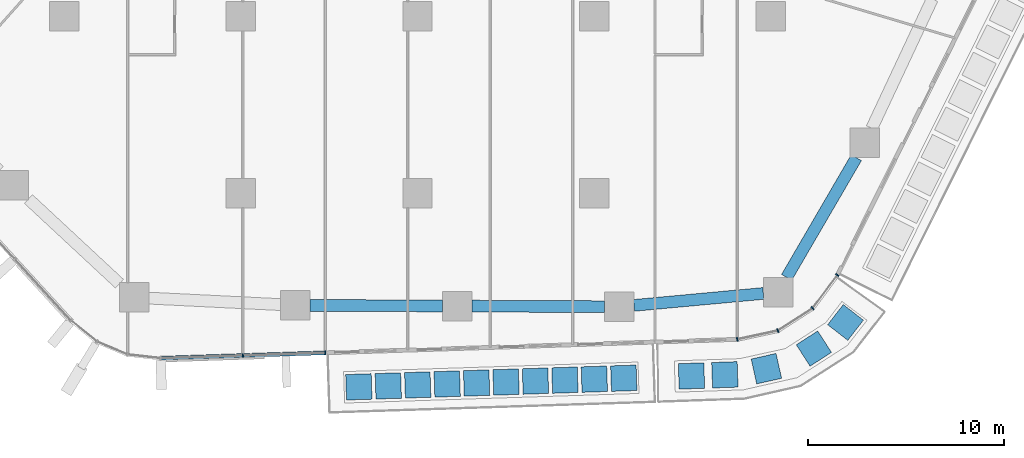
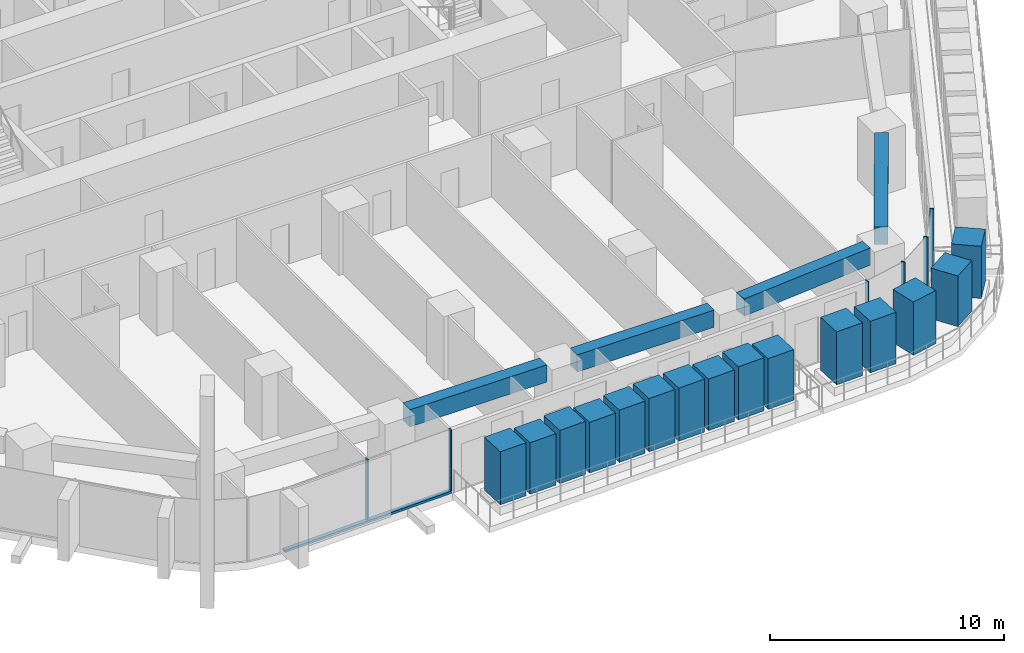
# One storey, part 5 of 27: 22 members, 4 beams, 2 elements without a shape of their own.
"""IFC4 building model written with IfcOpenShell, lengths in metres."""

from ifc_helpers import new_model, si_unit, direction, frame, origin, origin_2d, place, context, subcontext, project, spatial, rectangle, extrude, material, layer, layer_set, material_profile, profile_set, type_object, element, aggregate, save


model = new_model("IFC4")

# Units and contexts
model_context = context("Model", 3, precision=1e-05, world=origin(), true_north=direction((0.0, 1.0)))
body_context = subcontext(model_context, "Body", "Model", "MODEL_VIEW")
ifc_project = project(units=[si_unit("LENGTHUNIT", "METRE"), si_unit("AREAUNIT", "SQUARE_METRE"), si_unit("VOLUMEUNIT", "CUBIC_METRE"), si_unit("PLANEANGLEUNIT", "RADIAN"), si_unit("MASSUNIT", "GRAM", prefix="KILO")], contexts=[model_context])

# Site, building, storey
site_placement = place(None, origin())
site = spatial("IfcSite", under=ifc_project, at=site_placement, CompositionType="ELEMENT")
building_placement = place(site_placement, origin())
building = spatial("IfcBuilding", under=site, at=building_placement, Name="Dongbaek Canopy Tower", CompositionType="ELEMENT")
storey_placement = place(building_placement, frame((0.0, 0.0, 55.10009765625)))
storey = spatial("IfcBuildingStorey", under=building, at=storey_placement, Name="L09", CompositionType="ELEMENT", Elevation=55.10009765625)

# Curtain wall, members
ifc_material_1 = material(Name="Aluminium 6063-T6 pale anodised", Category="aluminium")
ifc_layer = layer(ifc_material_1, 0.199951171875)
ifc_layer_set = layer_set([ifc_layer], Name="CW-1 unitised tower curtain wall")
curtain_wall_type = type_object("IfcCurtainWallType", Name="CW-1 unitised tower curtain wall", PredefinedType="NOTDEFINED", material=ifc_layer_set)
curtain_wall_1_placement = place(storey_placement, origin())
curtain_wall_1 = element("IfcCurtainWall", 1, at=curtain_wall_1_placement, inside=storey, type_object=curtain_wall_type, Name="CW-1 curtain wall F4.1", PredefinedType="NOTDEFINED")
ifc_material_2 = material(Name="Aluminium 6063-T6 pale anodised", Category="aluminium")
ifc_material_profile_1 = material_profile(ifc_material_2, rectangle(XDim=0.199951171875, YDim=0.06005859375, at=origin_2d()), Name="CW-1 mullion 60 x 200")
ifc_profile_set_1 = profile_set([ifc_material_profile_1], Name="Aluminium 6063-T6 pale anodised")
member_type_1 = type_object("IfcMemberType", Name="CW-1 mullion 60 x 200", PredefinedType="MULLION", material=ifc_profile_set_1)
member_1_placement = place(storey_placement, frame((-8.895263671875, -35.27294921875, 0.119873046875), z_axis=(0.0, 0.0, 1.0), x_axis=(0.032645591573, -0.999466990626, 0.0)))
member_1 = element("IfcMember", 2, at=member_1_placement, type_object=member_type_1, Name="CW-1 mullion F4.1.2", PredefinedType="MULLION", context=body_context, shape_type="SweptSolid", body=[
    extrude(rectangle(XDim=0.199951171875, YDim=0.06005859375, at=origin_2d()), origin(), (0.0, 0.0, 1.0), 3.179931640625),
])
member_2_placement = place(storey_placement, frame((-4.696533203125, -35.1357421875, 0.119873046875), z_axis=(0.0, 0.0, 1.0), x_axis=(0.032645591573, -0.999466990626, 0.0)))
member_2 = element("IfcMember", 3, at=member_2_placement, type_object=member_type_1, Name="CW-1 mullion F4.1.3", PredefinedType="MULLION", context=body_context, shape_type="SweptSolid", body=[
    extrude(rectangle(XDim=0.199951171875, YDim=0.06005859375, at=origin_2d()), origin(), (0.0, 0.0, 1.0), 3.179931640625),
])

curtain_wall_2_placement = place(storey_placement, origin())
curtain_wall_2 = element("IfcCurtainWall", 4, at=curtain_wall_2_placement, inside=storey, type_object=curtain_wall_type, Name="CW-1 curtain wall K5.1", PredefinedType="NOTDEFINED")
member_3_placement = place(storey_placement, frame((16.28857421875, -34.450439453125, 0.0), z_axis=(0.0, 0.0, 1.0), x_axis=(0.210435377636, -0.977607769936, 0.0)))
member_3 = element("IfcMember", 5, at=member_3_placement, type_object=member_type_1, Name="CW-1 mullion K5.1.1", PredefinedType="MULLION", context=body_context, shape_type="SweptSolid", body=[
    extrude(rectangle(XDim=0.199951171875, YDim=0.06005859375, at=origin_2d()), origin(), (0.0, 0.0, 1.0), 3.2998046875),
])
member_4_placement = place(storey_placement, frame((18.35498046875, -34.005615234375, 0.0), z_axis=(0.0, 0.0, 1.0), x_axis=(0.381472916659, -0.924380015933, 0.0)))
member_4 = element("IfcMember", 6, at=member_4_placement, type_object=member_type_1, Name="CW-1 mullion K5.1.2", PredefinedType="MULLION", context=body_context, shape_type="SweptSolid", body=[
    extrude(rectangle(XDim=0.199951171875, YDim=0.06005859375, at=origin_2d()), origin(), (0.0, 0.0, 1.0), 3.2998046875),
])
member_5_placement = place(storey_placement, frame((20.1259765625, -32.86865234375, 0.0), z_axis=(0.0, 0.0, 1.0), x_axis=(0.681731660666, -0.731602311947, 0.0)))
member_5 = element("IfcMember", 7, at=member_5_placement, type_object=member_type_1, Name="CW-1 mullion K5.1.3", PredefinedType="MULLION", context=body_context, shape_type="SweptSolid", body=[
    extrude(rectangle(XDim=0.199951171875, YDim=0.06005859375, at=origin_2d()), origin(), (0.0, 0.0, 1.0), 3.2998046875),
])
member_6_placement = place(storey_placement, frame((21.390625, -31.1748046875, 0.0), z_axis=(0.0, 0.0, 1.0), x_axis=(0.801318453228, -0.598238026638, 0.0)))
member_6 = element("IfcMember", 8, at=member_6_placement, type_object=member_type_1, Name="CW-1 mullion K5.1.4", PredefinedType="MULLION", context=body_context, shape_type="SweptSolid", body=[
    extrude(rectangle(XDim=0.199951171875, YDim=0.06005859375, at=origin_2d()), origin(), (0.0, 0.0, 1.0), 3.2998046875),
])
aggregate(curtain_wall_2, [member_3, member_4, member_5, member_6])

# Member
ifc_material_3 = material(Name="Aluminium 6063-T6 pale anodised", Category="aluminium")
ifc_material_profile_2 = material_profile(ifc_material_3, rectangle(XDim=0.199951171875, YDim=0.1201171875, at=origin_2d()), Name="CW-1 transom 120 x 200")
ifc_profile_set_2 = profile_set([ifc_material_profile_2], Name="Aluminium 6063-T6 pale anodised")
member_type_2 = type_object("IfcMemberType", Name="CW-1 transom 120 x 200", PredefinedType="USERDEFINED", material=ifc_profile_set_2)
member_7_placement = place(storey_placement, frame((-13.0869140625, -35.409912109375, 0.059814453125), z_axis=(0.999466543947, 0.032659264086, 0.0), x_axis=(-0.032659264086, 0.999466543947, 0.0)))
member_7 = element("IfcMember", 9, at=member_7_placement, type_object=member_type_2, Name="CW-1 transom F4.1.1", ObjectType="TRANSOM", PredefinedType="USERDEFINED", context=body_context, shape_type="SweptSolid", body=[
    extrude(rectangle(XDim=0.199951171875, YDim=0.1201171875, at=origin_2d()), origin(), (0.0, 0.0, 1.0), 8.394775390625),
])

aggregate(curtain_wall_1, [member_1, member_2, member_7])

# Beams
ifc_material_4 = material(Name="Concrete C80", Category="concrete")
ifc_material_profile_3 = material_profile(ifc_material_4, rectangle(XDim=0.60009765625, YDim=0.89990234375, at=origin_2d()), Name="RC EDGE BEAM 600x900 C80")
ifc_profile_set_3 = profile_set([ifc_material_profile_3], Name="Concrete C80")
beam_type = type_object("IfcBeamType", Name="RC EDGE BEAM 600x900 C80", PredefinedType="BEAM", material=ifc_profile_set_3)
beam_1_placement = place(storey_placement, frame((17.617919921875, -32.1123046875, 2.849853515625), z_axis=(-0.995766471257, -0.091919174929, 0.0), x_axis=(0.091919174929, -0.995766471257, 0.0)))
element("IfcBeam", 10, at=beam_1_placement, inside=storey, type_object=beam_type, Name="EDGEBEAM:L09:00", PredefinedType="BEAM", context=body_context, shape_type="SweptSolid", body=[
    extrude(rectangle(XDim=0.60009765625, YDim=0.89990234375, at=origin_2d()), origin(), (0.0, 0.0, 1.0), 6.618896484375),
])
beam_2_placement = place(storey_placement, frame((9.527099609375, -32.78662109375, 2.849853515625), z_axis=(-0.999989942747, 0.004484908597, 0.0), x_axis=(-0.004484908597, -0.999989942747, 0.0)))
element("IfcBeam", 11, at=beam_2_placement, inside=storey, type_object=beam_type, Name="EDGEBEAM:L09:01", PredefinedType="BEAM", context=body_context, shape_type="SweptSolid", body=[
    extrude(rectangle(XDim=0.60009765625, YDim=0.89990234375, at=origin_2d()), origin(), (0.0, 0.0, 1.0), 6.75),
])
beam_3_placement = place(storey_placement, frame((1.277099609375, -32.749755859375, 2.849853515625), z_axis=(-0.999990420723, 0.004377038088, 0.0), x_axis=(-0.004377038088, -0.999990420723, 0.0)))
element("IfcBeam", 12, at=beam_3_placement, inside=storey, type_object=beam_type, Name="EDGEBEAM:L09:02", PredefinedType="BEAM", context=body_context, shape_type="SweptSolid", body=[
    extrude(rectangle(XDim=0.60009765625, YDim=0.89990234375, at=origin_2d()), origin(), (0.0, 0.0, 1.0), 6.7490234375),
])
beam_4_placement = place(storey_placement, frame((22.35546875, -25.193115234375, 2.849853515625), z_axis=(-0.503081510817, -0.864238967806, 0.0), x_axis=(0.864238967806, -0.503081510817, 0.0)))
element("IfcBeam", 13, at=beam_4_placement, inside=storey, type_object=beam_type, Name="EDGEBEAM:L09:25", PredefinedType="BEAM", context=body_context, shape_type="SweptSolid", body=[
    extrude(rectangle(XDim=0.60009765625, YDim=0.89990234375, at=origin_2d()), origin(), (0.0, 0.0, 1.0), 7.05810546875),
])

# Members
ifc_material_5 = material(Name="Concrete C40/50 planter mass with planting", Category="concrete")
ifc_material_profile_4 = material_profile(ifc_material_5, rectangle(XDim=1.300048828125, YDim=1.300048828125, at=origin_2d()), Name="Terrace PLANTER shrub mass 1300 x 1300")
ifc_profile_set_4 = profile_set([ifc_material_profile_4], Name="Concrete C40/50 planter mass with planting")
member_type_3 = type_object("IfcMemberType", Name="Terrace PLANTER shrub mass 1300 x 1300", PredefinedType="USERDEFINED", material=ifc_profile_set_4)
member_8_placement = place(storey_placement, frame((-2.98876953125, -36.87109375, 0.419921875), z_axis=(0.0, 0.0, 1.0), x_axis=(0.032645591573, -0.999466990626, 0.0)))
element("IfcMember", 14, at=member_8_placement, inside=storey, type_object=member_type_3, Name="Planter shrubs L09 4.1", ObjectType="PLANTER", PredefinedType="USERDEFINED", context=body_context, shape_type="SweptSolid", body=[
    extrude(rectangle(XDim=1.300048828125, YDim=1.300048828125, at=origin_2d()), origin(), (0.0, 0.0, 1.0), 2.77001953125),
])
member_9_placement = place(storey_placement, frame((-1.489013671875, -36.822021484375, 0.419921875), z_axis=(0.0, 0.0, 1.0), x_axis=(0.032645591573, -0.999466990626, 0.0)))
element("IfcMember", 15, at=member_9_placement, inside=storey, type_object=member_type_3, Name="Planter shrubs L09 4.2", ObjectType="PLANTER", PredefinedType="USERDEFINED", context=body_context, shape_type="SweptSolid", body=[
    extrude(rectangle(XDim=1.300048828125, YDim=1.300048828125, at=origin_2d()), origin(), (0.0, 0.0, 1.0), 2.68994140625),
])
member_10_placement = place(storey_placement, frame((0.010498046875, -36.77294921875, 0.419921875), z_axis=(0.0, 0.0, 1.0), x_axis=(0.032645591573, -0.999466990626, 0.0)))
element("IfcMember", 16, at=member_10_placement, inside=storey, type_object=member_type_3, Name="Planter shrubs L09 4.3", ObjectType="PLANTER", PredefinedType="USERDEFINED", context=body_context, shape_type="SweptSolid", body=[
    extrude(rectangle(XDim=1.300048828125, YDim=1.300048828125, at=origin_2d()), origin(), (0.0, 0.0, 1.0), 2.780029296875),
])
member_11_placement = place(storey_placement, frame((1.51025390625, -36.72412109375, 0.419921875), z_axis=(0.0, 0.0, 1.0), x_axis=(0.032645591573, -0.999466990626, 0.0)))
element("IfcMember", 17, at=member_11_placement, inside=storey, type_object=member_type_3, Name="Planter shrubs L09 4.4", ObjectType="PLANTER", PredefinedType="USERDEFINED", context=body_context, shape_type="SweptSolid", body=[
    extrude(rectangle(XDim=1.300048828125, YDim=1.300048828125, at=origin_2d()), origin(), (0.0, 0.0, 1.0), 2.64990234375),
])
member_12_placement = place(storey_placement, frame((3.009765625, -36.675048828125, 0.419921875), z_axis=(0.0, 0.0, 1.0), x_axis=(0.032645591573, -0.999466990626, 0.0)))
element("IfcMember", 18, at=member_12_placement, inside=storey, type_object=member_type_3, Name="Planter shrubs L09 4.5", ObjectType="PLANTER", PredefinedType="USERDEFINED", context=body_context, shape_type="SweptSolid", body=[
    extrude(rectangle(XDim=1.300048828125, YDim=1.300048828125, at=origin_2d()), origin(), (0.0, 0.0, 1.0), 2.72998046875),
])
member_13_placement = place(storey_placement, frame((4.50927734375, -36.626220703125, 0.419921875), z_axis=(0.0, 0.0, 1.0), x_axis=(0.032645591573, -0.999466990626, 0.0)))
element("IfcMember", 19, at=member_13_placement, inside=storey, type_object=member_type_3, Name="Planter shrubs L09 4.6", ObjectType="PLANTER", PredefinedType="USERDEFINED", context=body_context, shape_type="SweptSolid", body=[
    extrude(rectangle(XDim=1.300048828125, YDim=1.300048828125, at=origin_2d()), origin(), (0.0, 0.0, 1.0), 2.780029296875),
])
member_14_placement = place(storey_placement, frame((6.009033203125, -36.5771484375, 0.419921875), z_axis=(0.0, 0.0, 1.0), x_axis=(0.032645591573, -0.999466990626, 0.0)))
element("IfcMember", 20, at=member_14_placement, inside=storey, type_object=member_type_3, Name="Planter shrubs L09 4.7", ObjectType="PLANTER", PredefinedType="USERDEFINED", context=body_context, shape_type="SweptSolid", body=[
    extrude(rectangle(XDim=1.300048828125, YDim=1.300048828125, at=origin_2d()), origin(), (0.0, 0.0, 1.0), 2.77001953125),
])
member_15_placement = place(storey_placement, frame((7.508544921875, -36.528076171875, 0.419921875), z_axis=(0.0, 0.0, 1.0), x_axis=(0.032645591573, -0.999466990626, 0.0)))
element("IfcMember", 21, at=member_15_placement, inside=storey, type_object=member_type_3, Name="Planter shrubs L09 4.8", ObjectType="PLANTER", PredefinedType="USERDEFINED", context=body_context, shape_type="SweptSolid", body=[
    extrude(rectangle(XDim=1.300048828125, YDim=1.300048828125, at=origin_2d()), origin(), (0.0, 0.0, 1.0), 2.68994140625),
])
member_16_placement = place(storey_placement, frame((9.00830078125, -36.479248046875, 0.419921875), z_axis=(0.0, 0.0, 1.0), x_axis=(0.032645591573, -0.999466990626, 0.0)))
element("IfcMember", 22, at=member_16_placement, inside=storey, type_object=member_type_3, Name="Planter shrubs L09 4.9", ObjectType="PLANTER", PredefinedType="USERDEFINED", context=body_context, shape_type="SweptSolid", body=[
    extrude(rectangle(XDim=1.300048828125, YDim=1.300048828125, at=origin_2d()), origin(), (0.0, 0.0, 1.0), 2.780029296875),
])
member_17_placement = place(storey_placement, frame((10.5078125, -36.43017578125, 0.419921875), z_axis=(0.0, 0.0, 1.0), x_axis=(0.032645591573, -0.999466990626, 0.0)))
element("IfcMember", 23, at=member_17_placement, inside=storey, type_object=member_type_3, Name="Planter shrubs L09 4.10", ObjectType="PLANTER", PredefinedType="USERDEFINED", context=body_context, shape_type="SweptSolid", body=[
    extrude(rectangle(XDim=1.300048828125, YDim=1.300048828125, at=origin_2d()), origin(), (0.0, 0.0, 1.0), 2.64990234375),
])
member_18_placement = place(storey_placement, frame((13.956787109375, -36.31591796875, 0.419921875), z_axis=(0.0, 0.0, 1.0), x_axis=(0.034640711446, -0.999399830454, 0.0)))
element("IfcMember", 24, at=member_18_placement, inside=storey, type_object=member_type_3, Name="Planter shrubs L09 8.1", ObjectType="PLANTER", PredefinedType="USERDEFINED", context=body_context, shape_type="SweptSolid", body=[
    extrude(rectangle(XDim=1.300048828125, YDim=1.300048828125, at=origin_2d()), origin(), (0.0, 0.0, 1.0), 2.77001953125),
])
member_19_placement = place(storey_placement, frame((15.656982421875, -36.2568359375, 0.419921875), z_axis=(0.0, 0.0, 1.0), x_axis=(0.034640711446, -0.999399830454, 0.0)))
element("IfcMember", 25, at=member_19_placement, inside=storey, type_object=member_type_3, Name="Planter shrubs L09 8.2", ObjectType="PLANTER", PredefinedType="USERDEFINED", context=body_context, shape_type="SweptSolid", body=[
    extrude(rectangle(XDim=1.300048828125, YDim=1.300048828125, at=origin_2d()), origin(), (0.0, 0.0, 1.0), 2.68994140625),
])
member_20_placement = place(storey_placement, frame((17.772705078125, -35.944580078125, 0.419921875), z_axis=(0.0, 0.0, 1.0), x_axis=(0.218087962412, -0.975929116612, 0.0)))
element("IfcMember", 26, at=member_20_placement, inside=storey, type_object=member_type_3, Name="Planter shrubs L09 8.3", ObjectType="PLANTER", PredefinedType="USERDEFINED", context=body_context, shape_type="SweptSolid", body=[
    extrude(rectangle(XDim=1.300048828125, YDim=1.300048828125, at=origin_2d()), origin(), (0.0, 0.0, 1.0), 2.780029296875),
])
member_21_placement = place(storey_placement, frame((20.19287109375, -34.92041015625, 0.419921875), z_axis=(0.0, 0.0, 1.0), x_axis=(0.54027012142, -0.841491649335, 0.0)))
element("IfcMember", 27, at=member_21_placement, inside=storey, type_object=member_type_3, Name="Planter shrubs L09 8.4", ObjectType="PLANTER", PredefinedType="USERDEFINED", context=body_context, shape_type="SweptSolid", body=[
    extrude(rectangle(XDim=1.300048828125, YDim=1.300048828125, at=origin_2d()), origin(), (0.0, 0.0, 1.0), 2.64990234375),
])
member_22_placement = place(storey_placement, frame((21.8046875, -33.58935546875, 0.419921875), z_axis=(0.0, 0.0, 1.0), x_axis=(0.790319504044, -0.612694933493, 0.0)))
element("IfcMember", 28, at=member_22_placement, inside=storey, type_object=member_type_3, Name="Planter shrubs L09 8.5", ObjectType="PLANTER", PredefinedType="USERDEFINED", context=body_context, shape_type="SweptSolid", body=[
    extrude(rectangle(XDim=1.300048828125, YDim=1.300048828125, at=origin_2d()), origin(), (0.0, 0.0, 1.0), 2.72998046875),
])

save(model, "model.ifc")
